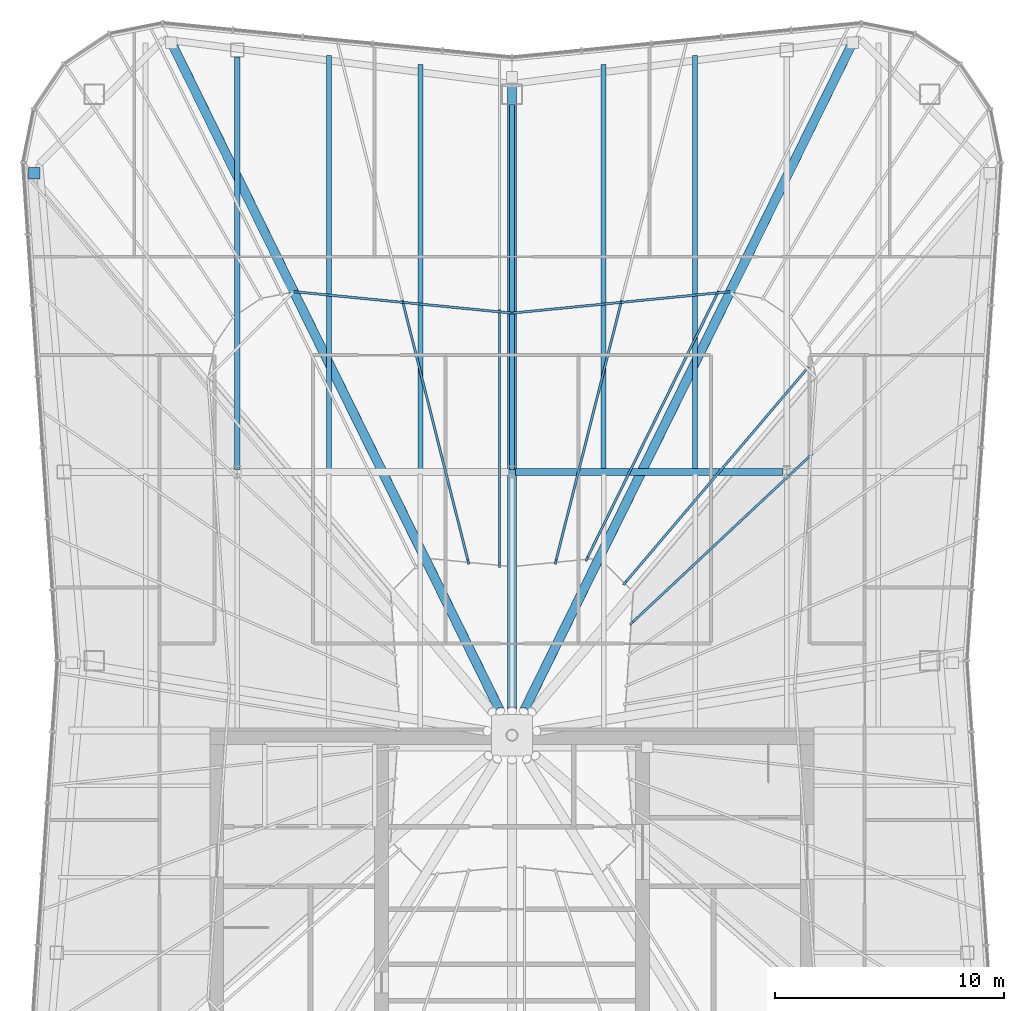
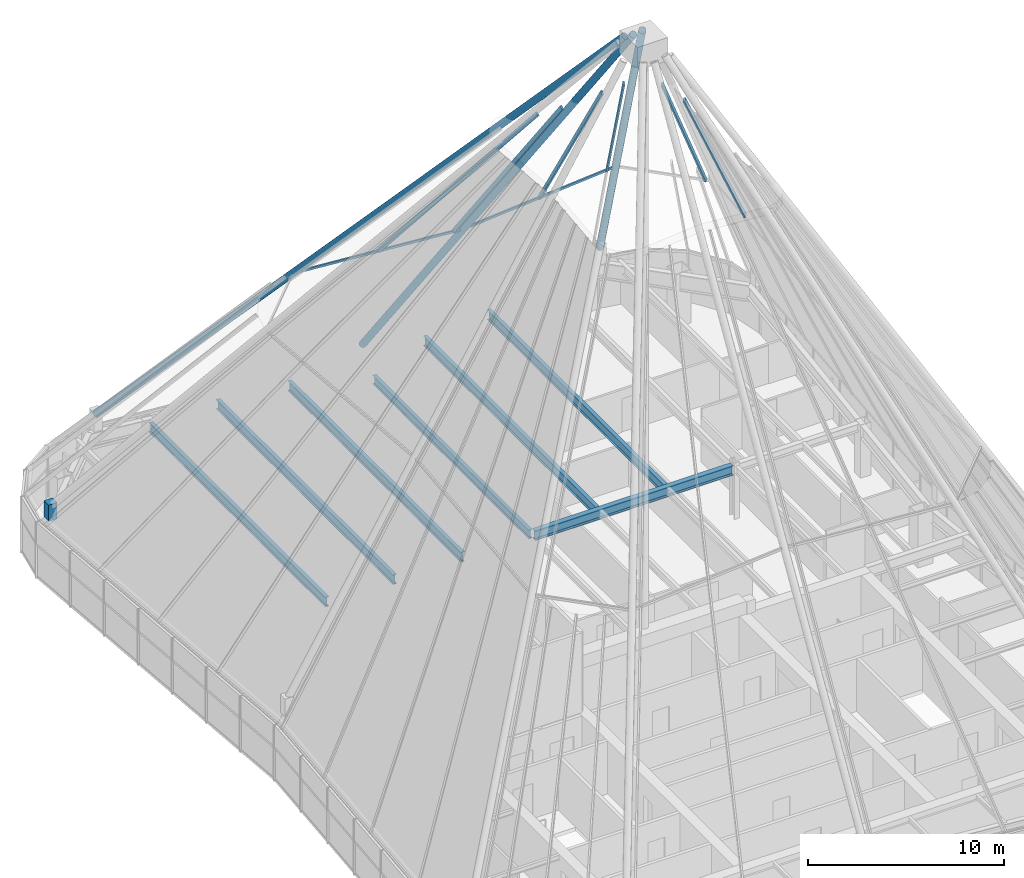
# One storey, part 15 of 28: 14 members, 7 beams, 6 elements without a shape of their own.
"""IFC4 building model written with IfcOpenShell, lengths in metres."""

from ifc_helpers import new_model, si_unit, direction, frame, origin, origin_2d, place, context, subcontext, project, spatial, rectangle, hollow_circle, i_section, extrude, material, layer, layer_set, material_profile, profile_set, type_object, element, aggregate, save


model = new_model("IFC4")

# Units and contexts
model_context = context("Model", 3, precision=1e-05, world=origin(), true_north=direction((0.0, 1.0)))
body_context = subcontext(model_context, "Body", "Model", "MODEL_VIEW")
ifc_project = project(units=[si_unit("LENGTHUNIT", "METRE"), si_unit("AREAUNIT", "SQUARE_METRE"), si_unit("VOLUMEUNIT", "CUBIC_METRE"), si_unit("PLANEANGLEUNIT", "RADIAN"), si_unit("MASSUNIT", "GRAM", prefix="KILO")], contexts=[model_context])

# Site, building, storey
site_placement = place(None, origin())
site = spatial("IfcSite", under=ifc_project, at=site_placement, CompositionType="ELEMENT")
building_placement = place(site_placement, origin())
building = spatial("IfcBuilding", under=site, at=building_placement, Name="Verdant Reach Tower", CompositionType="ELEMENT")
storey_placement = place(building_placement, frame((0.0, 0.0, 368.0)))
storey = spatial("IfcBuildingStorey", under=building, at=storey_placement, Name="L83 Crown plant", CompositionType="ELEMENT", Elevation=368.0)

# Curtain wall, member
ifc_material_1 = material(Name="Anodised aluminium", Category="aluminium")
curtain_wall_type = type_object("IfcCurtainWallType", Name="EN-CW SYSTEM CROWN APEX", PredefinedType="NOTDEFINED", material=ifc_material_1)
curtain_wall_1_placement = place(storey_placement, origin())
curtain_wall_1 = element("IfcCurtainWall", 1, at=curtain_wall_1_placement, inside=storey, type_object=curtain_wall_type, Name="Crown glazing unit east face part 2 4, level 02", PredefinedType="NOTDEFINED")
ifc_material_profile_1 = material_profile(ifc_material_1, rectangle(XDim=0.10009765625, YDim=0.239990234375, at=origin_2d()), Name="Mullion 100x240")
ifc_profile_set_1 = profile_set([ifc_material_profile_1], Name="Anodised aluminium")
member_type_1 = type_object("IfcMemberType", Name="EN-RIB MULLION CROWN", PredefinedType="MULLION", material=ifc_profile_set_1)
member_1_placement = place(storey_placement, frame((13.046875, 50.2265625, 17.9375), z_axis=(-0.435206952111, -0.407843640751, 0.802657133235), x_axis=(0.683795774699, -0.729673446484, 0.0)))
member_1 = element("IfcMember", 2, at=member_1_placement, type_object=member_type_1, Name="Crown mullion east face part 2 4, level 02", PredefinedType="MULLION", context=body_context, shape_type="SweptSolid", body=[
    extrude(rectangle(XDim=0.10009765625, YDim=0.239990234375, at=origin_2d()), origin(), (0.0, 0.0, 1.0), 17.987060546875),
])
aggregate(curtain_wall_1, [member_1])

curtain_wall_2_placement = place(storey_placement, origin())
curtain_wall_2 = element("IfcCurtainWall", 3, at=curtain_wall_2_placement, inside=storey, type_object=curtain_wall_type, Name="Crown glazing unit north-east corner 1, level 02", PredefinedType="NOTDEFINED")
member_2_placement = place(storey_placement, frame((12.892333984375, 54.013916015625, 17.9375), z_axis=(-0.420087445434, -0.494220524039, 0.761099607021), x_axis=(0.761939317759, -0.647648420096, 0.0)))
member_2 = element("IfcMember", 4, at=member_2_placement, type_object=member_type_1, Name="Crown mullion north-east corner 1, level 02", PredefinedType="MULLION", context=body_context, shape_type="SweptSolid", body=[
    extrude(rectangle(XDim=0.10009765625, YDim=0.239990234375, at=origin_2d()), origin(), (0.0, 0.0, 1.0), 18.96923828125),
])
aggregate(curtain_wall_2, [member_2])

curtain_wall_3_placement = place(storey_placement, origin())
curtain_wall_3 = element("IfcCurtainWall", 5, at=curtain_wall_3_placement, inside=storey, type_object=curtain_wall_type, Name="Crown glazing unit north face part 1 1, level 02", PredefinedType="NOTDEFINED")
member_3_placement = place(storey_placement, frame((8.98388671875, 57.321044921875, 17.9375), z_axis=(-0.294809860033, -0.599285617116, 0.744274072869), x_axis=(0.897302982151, -0.441415176703, 0.0)))
member_3 = element("IfcMember", 6, at=member_3_placement, type_object=member_type_1, Name="Crown mullion north face part 1 1, level 02", PredefinedType="MULLION", context=body_context, shape_type="SweptSolid", body=[
    extrude(rectangle(XDim=0.10009765625, YDim=0.239990234375, at=origin_2d()), origin(), (0.0, 0.0, 1.0), 19.398193359375),
])

curtain_wall_4_placement = place(storey_placement, origin())
curtain_wall_4 = element("IfcCurtainWall", 7, at=curtain_wall_4_placement, inside=storey, type_object=curtain_wall_type, Name="Crown glazing unit north face part 1 2, level 02", PredefinedType="NOTDEFINED")
member_4_placement = place(storey_placement, frame((4.765625, 56.90625, 17.9375), z_axis=(-0.15387711106, -0.610463293057, 0.776953282072), x_axis=(0.969669267948, -0.244420765888, 0.0)))
member_4 = element("IfcMember", 8, at=member_4_placement, type_object=member_type_1, Name="Crown mullion north face part 1 2, level 02", PredefinedType="MULLION", context=body_context, shape_type="SweptSolid", body=[
    extrude(rectangle(XDim=0.10009765625, YDim=0.239990234375, at=origin_2d()), origin(), (0.0, 0.0, 1.0), 18.582275390625),
])

curtain_wall_5_placement = place(storey_placement, origin())
curtain_wall_5 = element("IfcCurtainWall", 9, at=curtain_wall_5_placement, inside=storey, type_object=curtain_wall_type, Name="Crown glazing unit north face part 2 1, level 02", PredefinedType="NOTDEFINED")
member_5_placement = place(storey_placement, frame((-0.54736328125, 56.491455078125, 17.9375), z_axis=(0.0, -0.608215102618, 0.793772252569), x_axis=(1.0, 0.0, 0.0)))
member_5 = element("IfcMember", 10, at=member_5_placement, type_object=member_type_1, Name="Crown mullion north face part 2 1, level 02", PredefinedType="MULLION", context=body_context, shape_type="SweptSolid", body=[
    extrude(rectangle(XDim=0.10009765625, YDim=0.239990234375, at=origin_2d()), origin(), (0.0, 0.0, 1.0), 18.1884765625),
])

curtain_wall_6_placement = place(storey_placement, origin())
curtain_wall_6 = element("IfcCurtainWall", 11, at=curtain_wall_6_placement, inside=storey, type_object=curtain_wall_type, Name="Crown glazing unit north face part 2 2, level 02", PredefinedType="NOTDEFINED")
member_6_placement = place(storey_placement, frame((-4.765625, 56.90625, 17.9375), z_axis=(0.15387711106, -0.610463293057, 0.776953282072), x_axis=(0.969669267948, 0.244420765888, 0.0)))
member_6 = element("IfcMember", 12, at=member_6_placement, type_object=member_type_1, Name="Crown mullion north face part 2 2, level 02", PredefinedType="MULLION", context=body_context, shape_type="SweptSolid", body=[
    extrude(rectangle(XDim=0.10009765625, YDim=0.239990234375, at=origin_2d()), origin(), (0.0, 0.0, 1.0), 18.582275390625),
])

# Member
ifc_material_profile_2 = material_profile(ifc_material_1, rectangle(XDim=0.10009765625, YDim=0.139892578125, at=origin_2d()), Name="Transom 140x100")
ifc_profile_set_2 = profile_set([ifc_material_profile_2], Name="Anodised aluminium")
member_type_2 = type_object("IfcMemberType", Name="EN-TRANSOM CROWN", PredefinedType="USERDEFINED", material=ifc_profile_set_2)
member_7_placement = place(storey_placement, frame((9.53125, 57.375, 17.9375), z_axis=(-0.995197410875, -0.097888269922, 0.0), x_axis=(0.097888269922, -0.995197410875, 0.0)))
member_7 = element("IfcMember", 13, at=member_7_placement, type_object=member_type_2, Name="Crown transom north face part 1 1, level 02", ObjectType="TRANSOM", PredefinedType="USERDEFINED", context=body_context, shape_type="SweptSolid", body=[
    extrude(rectangle(XDim=0.10009765625, YDim=0.139892578125, at=origin_2d()), origin(), (0.0, 0.0, 1.0), 4.78857421875),
])

aggregate(curtain_wall_3, [member_3, member_7])

member_8_placement = place(storey_placement, frame((4.765625, 56.90625, 17.9375), z_axis=(-0.995197410875, -0.097888269922, 0.0), x_axis=(0.097888269922, -0.995197410875, 0.0)))
member_8 = element("IfcMember", 14, at=member_8_placement, type_object=member_type_2, Name="Crown transom north face part 1 2, level 02", ObjectType="TRANSOM", PredefinedType="USERDEFINED", context=body_context, shape_type="SweptSolid", body=[
    extrude(rectangle(XDim=0.10009765625, YDim=0.139892578125, at=origin_2d()), origin(), (0.0, 0.0, 1.0), 4.78857421875),
])

aggregate(curtain_wall_4, [member_4, member_8])

member_9_placement = place(storey_placement, frame((0.0, 56.4375, 17.9375), z_axis=(-0.995197410875, 0.097888269922, 0.0), x_axis=(-0.097888269922, -0.995197410875, 0.0)))
member_9 = element("IfcMember", 15, at=member_9_placement, type_object=member_type_2, Name="Crown transom north face part 2 1, level 02", ObjectType="TRANSOM", PredefinedType="USERDEFINED", context=body_context, shape_type="SweptSolid", body=[
    extrude(rectangle(XDim=0.10009765625, YDim=0.139892578125, at=origin_2d()), origin(), (0.0, 0.0, 1.0), 4.78857421875),
])

aggregate(curtain_wall_5, [member_5, member_9])

member_10_placement = place(storey_placement, frame((-4.765625, 56.90625, 17.9375), z_axis=(-0.995197410875, 0.097888269922, 0.0), x_axis=(-0.097888269922, -0.995197410875, 0.0)))
member_10 = element("IfcMember", 16, at=member_10_placement, type_object=member_type_2, Name="Crown transom north face part 2 2, level 02", ObjectType="TRANSOM", PredefinedType="USERDEFINED", context=body_context, shape_type="SweptSolid", body=[
    extrude(rectangle(XDim=0.10009765625, YDim=0.139892578125, at=origin_2d()), origin(), (0.0, 0.0, 1.0), 4.78857421875),
])

aggregate(curtain_wall_6, [member_6, member_10])

# Beam
ifc_material_2 = material(Name="Steel S355", Category="steel")
ifc_material_profile_3 = material_profile(ifc_material_2, i_section(OverallWidth=0.300048828125, OverallDepth=0.60009765625, WebThickness=0.015380859375, FlangeThickness=0.030029296875, FilletRadius=0.027099609375, at=origin_2d()), Name="HEB 600")
ifc_profile_set_3 = profile_set([ifc_material_profile_3], Name="Steel S355")
beam_type_1 = type_object("IfcBeamType", Name="ST-BEAM-HEB600", PredefinedType="BEAM", material=ifc_profile_set_3)
beam_1_placement = place(storey_placement, frame((0.153076171875, 49.5, 3.0), z_axis=(1.0, 0.0, 0.0), x_axis=(0.0, 1.0, 0.0)))
element("IfcBeam", 17, at=beam_1_placement, inside=storey, type_object=beam_type_1, Name="Row girder, L83 Crown plant", PredefinedType="BEAM", context=body_context, shape_type="SweptSolid", body=[
    extrude(i_section(OverallWidth=0.300048828125, OverallDepth=0.60009765625, WebThickness=0.015380859375, FlangeThickness=0.030029296875, FilletRadius=0.027099609375, at=origin_2d()), origin(), (0.0, 0.0, 1.0), 11.69384765625),
])

# Members
ifc_material_3 = material(Name="Steel S460", Category="steel")
ifc_material_profile_4 = material_profile(ifc_material_3, hollow_circle(Radius=0.203125, WallThickness=0.01611328125, at=origin_2d()), Name="CHS 406.4x16")
ifc_profile_set_4 = profile_set([ifc_material_profile_4], Name="Steel S460")
member_type_3 = type_object("IfcMemberType", Name="ST-CROWN-RIB", PredefinedType="BRACE", material=ifc_profile_set_4)
member_11_placement = place(storey_placement, frame((14.880859375, 68.24951171875, 4.431884765625), z_axis=(-0.294810711931, -0.599283241206, 0.744275648493), x_axis=(0.897301783772, -0.441417612743, 0.0)))
element("IfcMember", 18, at=member_11_placement, inside=storey, type_object=member_type_3, Name="Crown rib 5", PredefinedType="BRACE", context=body_context, shape_type="SweptSolid", body=[
    extrude(hollow_circle(Radius=0.203125, WallThickness=0.01611328125, at=origin_2d()), origin(), (0.0, 0.0, 1.0), 48.7177734375),
])
member_12_placement = place(storey_placement, frame((0.0, 66.734130859375, 4.49951171875), z_axis=(0.0, -0.60821475112, 0.793772521897), x_axis=(1.0, 0.0, 0.0)))
element("IfcMember", 19, at=member_12_placement, inside=storey, type_object=member_type_3, Name="Crown rib 6", PredefinedType="BRACE", context=body_context, shape_type="SweptSolid", body=[
    extrude(hollow_circle(Radius=0.203125, WallThickness=0.01611328125, at=origin_2d()), origin(), (0.0, 0.0, 1.0), 45.46826171875),
])
member_13_placement = place(storey_placement, frame((-14.880859375, 68.24951171875, 4.431884765625), z_axis=(0.294810711931, -0.599283241206, 0.744275648493), x_axis=(0.897301783772, 0.441417612743, 0.0)))
element("IfcMember", 20, at=member_13_placement, inside=storey, type_object=member_type_3, Name="Crown rib 7", PredefinedType="BRACE", context=body_context, shape_type="SweptSolid", body=[
    extrude(hollow_circle(Radius=0.203125, WallThickness=0.01611328125, at=origin_2d()), origin(), (0.0, 0.0, 1.0), 48.7177734375),
])

# Beams
ifc_material_profile_5 = material_profile(ifc_material_2, i_section(OverallWidth=0.2099609375, OverallDepth=0.550048828125, WebThickness=0.010986328125, FlangeThickness=0.01708984375, FilletRadius=0.02392578125, at=origin_2d()), Name="IPE 550")
ifc_profile_set_5 = profile_set([ifc_material_profile_5], Name="Steel S355")
beam_type_2 = type_object("IfcBeamType", Name="ST-JOIST-IPE550", PredefinedType="JOIST", material=ifc_profile_set_5)
beam_2_placement = place(storey_placement, frame((0.0, 49.60009765625, 3.02490234375), z_axis=(0.0, 1.0, 0.0), x_axis=(-1.0, 0.0, 0.0)))
element("IfcBeam", 21, at=beam_2_placement, inside=storey, type_object=beam_type_2, Name="Floor joist, L83 Crown plant", PredefinedType="JOIST", context=body_context, shape_type="SweptSolid", body=[
    extrude(i_section(OverallWidth=0.2099609375, OverallDepth=0.550048828125, WebThickness=0.010986328125, FlangeThickness=0.01708984375, FilletRadius=0.02392578125, at=origin_2d()), origin(), (0.0, 0.0, 1.0), 15.949951171875),
])
ifc_material_profile_6 = material_profile(ifc_material_2, i_section(OverallWidth=0.219970703125, OverallDepth=0.60009765625, WebThickness=0.011962890625, FlangeThickness=0.01904296875, FilletRadius=0.02392578125, at=origin_2d()), Name="IPE 600")
ifc_profile_set_6 = profile_set([ifc_material_profile_6], Name="Steel S355")
beam_type_3 = type_object("IfcBeamType", Name="ST-JOIST-IPE600", PredefinedType="JOIST", material=ifc_profile_set_6)
beam_3_placement = place(storey_placement, frame((-12.0, 49.60009765625, 3.0), z_axis=(0.0, 1.0, 0.0), x_axis=(-1.0, 0.0, 0.0)))
element("IfcBeam", 22, at=beam_3_placement, inside=storey, type_object=beam_type_3, Name="Floor joist, L83 Crown plant", PredefinedType="JOIST", context=body_context, shape_type="SweptSolid", body=[
    extrude(i_section(OverallWidth=0.219970703125, OverallDepth=0.60009765625, WebThickness=0.011962890625, FlangeThickness=0.01904296875, FilletRadius=0.02392578125, at=origin_2d()), origin(), (0.0, 0.0, 1.0), 18.0302734375),
])
beam_4_placement = place(storey_placement, frame((-8.0, 49.60009765625, 3.0), z_axis=(0.0, 1.0, 0.0), x_axis=(-1.0, 0.0, 0.0)))
element("IfcBeam", 23, at=beam_4_placement, inside=storey, type_object=beam_type_3, Name="Floor joist, L83 Crown plant", PredefinedType="JOIST", context=body_context, shape_type="SweptSolid", body=[
    extrude(i_section(OverallWidth=0.219970703125, OverallDepth=0.60009765625, WebThickness=0.011962890625, FlangeThickness=0.01904296875, FilletRadius=0.02392578125, at=origin_2d()), origin(), (0.0, 0.0, 1.0), 18.083984375),
])
for number, where, z_axis, x_axis, name in (
    (24, (-4.0, 49.60009765625, 3.0), (0.0, 1.0, 0.0), (-1.0, 0.0, 0.0), "Floor joist, L83 Crown plant"),
    (25, (4.0, 49.60009765625, 3.0), (0.0, 1.0, 0.0), (-1.0, 0.0, 0.0), "Floor joist, L83 Crown plant"),
):
    element("IfcBeam", number, at=place(storey_placement, frame(where, z_axis=z_axis, x_axis=x_axis)), inside=storey, type_object=beam_type_3, Name=name, PredefinedType="JOIST", context=body_context, shape_type="SweptSolid", body=[
        extrude(i_section(OverallWidth=0.219970703125, OverallDepth=0.60009765625, WebThickness=0.011962890625, FlangeThickness=0.01904296875, FilletRadius=0.02392578125, at=origin_2d()), origin(), (0.0, 0.0, 1.0), 17.6904296875),
    ])
beam_5_placement = place(storey_placement, frame((8.0, 49.60009765625, 3.0), z_axis=(0.0, 1.0, 0.0), x_axis=(-1.0, 0.0, 0.0)))
element("IfcBeam", 26, at=beam_5_placement, inside=storey, type_object=beam_type_3, Name="Floor joist, L83 Crown plant", PredefinedType="JOIST", context=body_context, shape_type="SweptSolid", body=[
    extrude(i_section(OverallWidth=0.219970703125, OverallDepth=0.60009765625, WebThickness=0.011962890625, FlangeThickness=0.01904296875, FilletRadius=0.02392578125, at=origin_2d()), origin(), (0.0, 0.0, 1.0), 18.083984375),
])

# Member
ifc_layer = layer(ifc_material_3, 0.5)
ifc_layer_set = layer_set([ifc_layer], Name="ST-NODE-FOOT")
member_type_4 = type_object("IfcMemberType", Name="ST-NODE-FOOT", PredefinedType="POST", material=ifc_layer_set)
member_14_placement = place(storey_placement, frame((-20.861328125, 62.542724609375, 3.5), z_axis=(0.0, 0.0, 1.0), x_axis=(1.0, 0.0, 0.0)))
element("IfcMember", 27, at=member_14_placement, inside=storey, type_object=member_type_4, Name="Crown rib foot node 8", PredefinedType="POST", context=body_context, shape_type="SweptSolid", body=[
    extrude(rectangle(XDim=0.5, YDim=0.5, at=origin_2d()), origin(), (0.0, 0.0, 1.0), 1.004150390625),
])

save(model, "model.ifc")
